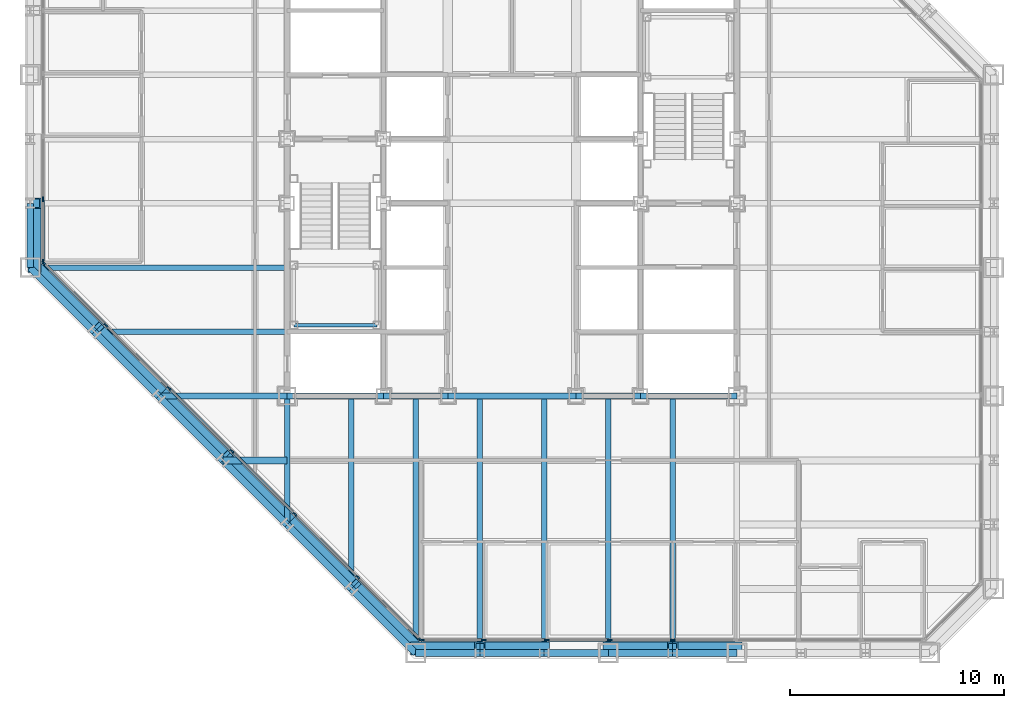
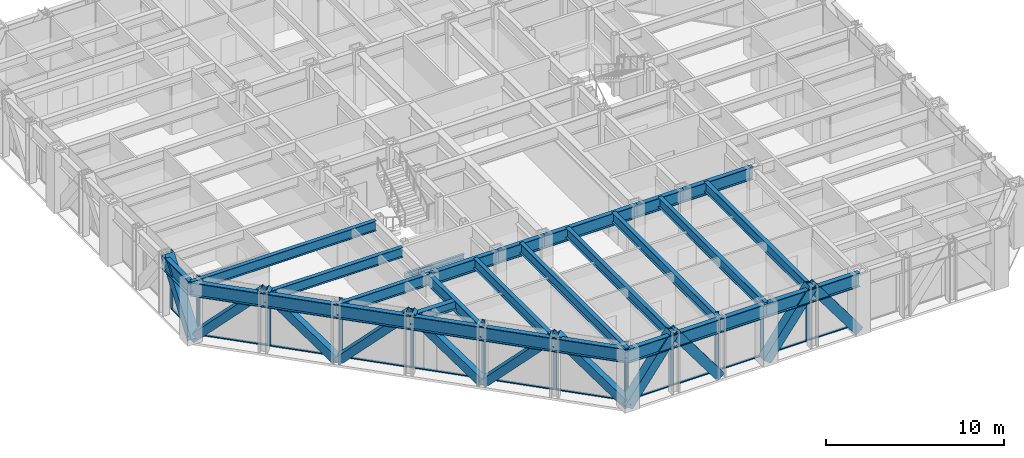
# One storey, part 4 of 16: 37 members, 29 beams, 3 elements without a shape of their own.
"""IFC4 building model written with IfcOpenShell, lengths in metres."""

from ifc_helpers import new_model, si_unit, direction, frame, origin, origin_2d, place, context, subcontext, project, spatial, rectangle, hollow_rectangle, i_section, extrude, material, layer, layer_set, material_profile, profile_set, type_object, element, aggregate, save


model = new_model("IFC4")

# Units and contexts
model_context = context("Model", 3, precision=1e-05, world=origin(), true_north=direction((0.0, 1.0)))
body_context = subcontext(model_context, "Body", "Model", "MODEL_VIEW")
ifc_project = project(units=[si_unit("LENGTHUNIT", "METRE"), si_unit("AREAUNIT", "SQUARE_METRE"), si_unit("VOLUMEUNIT", "CUBIC_METRE"), si_unit("PLANEANGLEUNIT", "RADIAN"), si_unit("MASSUNIT", "GRAM", prefix="KILO")], contexts=[model_context])

# Site, building, storey
site_placement = place(None, origin())
site = spatial("IfcSite", under=ifc_project, at=site_placement, CompositionType="ELEMENT")
building_placement = place(site_placement, origin())
building = spatial("IfcBuilding", under=site, at=building_placement, Name="Chuquiago Exchange Tower", CompositionType="ELEMENT")
storey_placement = place(building_placement, frame((0.0, 0.0, 111.0)))
storey = spatial("IfcBuildingStorey", under=building, at=storey_placement, Name="L23", CompositionType="ELEMENT", Elevation=111.0)

# Beams
ifc_material_1 = material(Name="Steel ASTM A992", Category="steel")
ifc_material_profile_1 = material_profile(ifc_material_1, i_section(OverallWidth=0.25390625, OverallDepth=0.683349609375, WebThickness=0.012451171875, FlangeThickness=0.018798828125, at=origin_2d()), Name="W27X94")
ifc_profile_set_1 = profile_set([ifc_material_profile_1], Name="Steel ASTM A992")
beam_type_1 = type_object("IfcBeamType", Name="B1 W27X94", PredefinedType="BEAM", material=ifc_profile_set_1)
beam_1_placement = place(storey_placement, frame((15.0, 12.0, 3.698486328125), z_axis=(0.0, -1.0, 0.0), x_axis=(1.0, 0.0, 0.0)))
element("IfcBeam", 1, at=beam_1_placement, inside=storey, type_object=beam_type_1, Name="FB-L24-infill-15_12-15_3-0", PredefinedType="BEAM", context=body_context, shape_type="SweptSolid", body=[
    extrude(i_section(OverallWidth=0.25390625, OverallDepth=0.683349609375, WebThickness=0.012451171875, FlangeThickness=0.018798828125, at=origin_2d()), origin(), (0.0, 0.0, 1.0), 9.0),
])
for number, where, z_axis, x_axis, name in (
    (2, (18.0, 12.0, 3.698486328125), (0.0, -1.0, 0.0), (1.0, 0.0, 0.0), "FB-L24-infill-18_12-18_-0-0"),
    (3, (21.0, 12.0, 3.698486328125), (0.0, -1.0, 0.0), (1.0, 0.0, 0.0), "FB-L24-infill-21_12-21_-0-0"),
    (4, (24.0, 12.0, 3.698486328125), (0.0, -1.0, 0.0), (1.0, 0.0, 0.0), "FB-L24-infill-24_12-24_-0-0"),
    (5, (27.0, 12.0, 3.698486328125), (0.0, -1.0, 0.0), (1.0, 0.0, 0.0), "FB-L24-infill-27_12-27_-0-0"),
    (6, (30.0, 12.0, 3.698486328125), (0.0, -1.0, 0.0), (1.0, 0.0, 0.0), "FB-L24-infill-30_12-30_-0-0"),
):
    element("IfcBeam", number, at=place(storey_placement, frame(where, z_axis=z_axis, x_axis=x_axis)), inside=storey, type_object=beam_type_1, Name=name, PredefinedType="BEAM", context=body_context, shape_type="SweptSolid", body=[
        extrude(i_section(OverallWidth=0.25390625, OverallDepth=0.683349609375, WebThickness=0.012451171875, FlangeThickness=0.018798828125, at=origin_2d()), origin(), (0.0, 0.0, 1.0), 12.0),
    ])
beam_2_placement = place(storey_placement, frame((12.0, 15.0, 3.698486328125), z_axis=(-1.0, 0.0, 0.0), x_axis=(0.0, -1.0, 0.0)))
element("IfcBeam", 7, at=beam_2_placement, inside=storey, type_object=beam_type_1, Name="FB-L24-infill-12_15-3_15-0", PredefinedType="BEAM", context=body_context, shape_type="SweptSolid", body=[
    extrude(i_section(OverallWidth=0.25390625, OverallDepth=0.683349609375, WebThickness=0.012451171875, FlangeThickness=0.018798828125, at=origin_2d()), origin(), (0.0, 0.0, 1.0), 9.0),
])
beam_3_placement = place(storey_placement, frame((12.0, 18.0, 3.698486328125), z_axis=(-1.0, 0.0, 0.0), x_axis=(0.0, -1.0, 0.0)))
element("IfcBeam", 8, at=beam_3_placement, inside=storey, type_object=beam_type_1, Name="FB-L24-infill-12_18--0_18-0", PredefinedType="BEAM", context=body_context, shape_type="SweptSolid", body=[
    extrude(i_section(OverallWidth=0.25390625, OverallDepth=0.683349609375, WebThickness=0.012451171875, FlangeThickness=0.018798828125, at=origin_2d()), origin(), (0.0, 0.0, 1.0), 12.0),
])
ifc_material_2 = material(Name="Steel ASTM A992", Category="steel")
ifc_material_profile_2 = material_profile(ifc_material_2, i_section(OverallWidth=0.3251953125, OverallDepth=0.612060546875, WebThickness=0.0126953125, FlangeThickness=0.01904296875, at=origin_2d()), Name="W24X104")
ifc_profile_set_2 = profile_set([ifc_material_profile_2], Name="Steel ASTM A992")
beam_type_2 = type_object("IfcBeamType", Name="B2 W24X104", PredefinedType="BEAM", material=ifc_profile_set_2)
beam_4_placement = place(storey_placement, frame((12.0, 9.0, 3.73388671875), z_axis=(-1.0, 0.0, 0.0), x_axis=(0.0, -1.0, 0.0)))
element("IfcBeam", 9, at=beam_4_placement, inside=storey, type_object=beam_type_2, Name="FB-L24-corner-12_9-9_9-0", PredefinedType="BEAM", context=body_context, shape_type="SweptSolid", body=[
    extrude(i_section(OverallWidth=0.3251953125, OverallDepth=0.612060546875, WebThickness=0.0126953125, FlangeThickness=0.01904296875, at=origin_2d()), origin(), (0.0, 0.0, 1.0), 3.0),
])
ifc_material_3 = material(Name="Steel ASTM A992", Category="steel")
ifc_material_profile_3 = material_profile(ifc_material_3, i_section(OverallWidth=0.2919921875, OverallDepth=0.8583984375, WebThickness=0.01708984375, FlangeThickness=0.031005859375, at=origin_2d()), Name="W33X169")
ifc_profile_set_3 = profile_set([ifc_material_profile_3], Name="Steel ASTM A992")
beam_type_3 = type_object("IfcBeamType", Name="B3 W33X169", PredefinedType="BEAM", material=ifc_profile_set_3)
beam_5_placement = place(storey_placement, frame((12.0, 12.0, 3.610595703125), z_axis=(1.0, 0.0, 0.0), x_axis=(0.0, 1.0, 0.0)))
element("IfcBeam", 10, at=beam_5_placement, inside=storey, type_object=beam_type_3, Name="CB-L24-12_12-16.5_12", PredefinedType="BEAM", context=body_context, shape_type="SweptSolid", body=[
    extrude(i_section(OverallWidth=0.2919921875, OverallDepth=0.8583984375, WebThickness=0.01708984375, FlangeThickness=0.031005859375, at=origin_2d()), origin(), (0.0, 0.0, 1.0), 4.5),
])
beam_6_placement = place(storey_placement, frame((16.5, 12.0, 3.610595703125), z_axis=(1.0, 0.0, 0.0), x_axis=(0.0, 1.0, 0.0)))
element("IfcBeam", 11, at=beam_6_placement, inside=storey, type_object=beam_type_3, Name="CB-L24-16.5_12-19.5_12", PredefinedType="BEAM", context=body_context, shape_type="SweptSolid", body=[
    extrude(i_section(OverallWidth=0.2919921875, OverallDepth=0.8583984375, WebThickness=0.01708984375, FlangeThickness=0.031005859375, at=origin_2d()), origin(), (0.0, 0.0, 1.0), 3.0),
])
beam_7_placement = place(storey_placement, frame((19.5, 12.0, 3.610595703125), z_axis=(1.0, 0.0, 0.0), x_axis=(0.0, 1.0, 0.0)))
element("IfcBeam", 12, at=beam_7_placement, inside=storey, type_object=beam_type_3, Name="CB-L24-19.5_12-25.5_12", PredefinedType="BEAM", context=body_context, shape_type="SweptSolid", body=[
    extrude(i_section(OverallWidth=0.2919921875, OverallDepth=0.8583984375, WebThickness=0.01708984375, FlangeThickness=0.031005859375, at=origin_2d()), origin(), (0.0, 0.0, 1.0), 6.0),
])
beam_8_placement = place(storey_placement, frame((25.5, 12.0, 3.610595703125), z_axis=(1.0, 0.0, 0.0), x_axis=(0.0, 1.0, 0.0)))
element("IfcBeam", 13, at=beam_8_placement, inside=storey, type_object=beam_type_3, Name="CB-L24-25.5_12-28.5_12", PredefinedType="BEAM", context=body_context, shape_type="SweptSolid", body=[
    extrude(i_section(OverallWidth=0.2919921875, OverallDepth=0.8583984375, WebThickness=0.01708984375, FlangeThickness=0.031005859375, at=origin_2d()), origin(), (0.0, 0.0, 1.0), 3.0),
])
beam_9_placement = place(storey_placement, frame((28.5, 12.0, 3.610595703125), z_axis=(1.0, 0.0, 0.0), x_axis=(0.0, 1.0, 0.0)))
element("IfcBeam", 14, at=beam_9_placement, inside=storey, type_object=beam_type_3, Name="CB-L24-28.5_12-33_12", PredefinedType="BEAM", context=body_context, shape_type="SweptSolid", body=[
    extrude(i_section(OverallWidth=0.2919921875, OverallDepth=0.8583984375, WebThickness=0.01708984375, FlangeThickness=0.031005859375, at=origin_2d()), origin(), (0.0, 0.0, 1.0), 4.5),
])

# Curtain wall, members
ifc_material_4 = material(Name="Aluminium curtain wall system", Category="aluminium")
ifc_layer_1 = layer(ifc_material_4, 0.22509765625)
ifc_layer_set_1 = layer_set([ifc_layer_1], Name="CW2 office curtain wall")
curtain_wall_type_1 = type_object("IfcCurtainWallType", Name="CW2 office curtain wall", PredefinedType="NOTDEFINED", material=ifc_layer_set_1)
curtain_wall_1_placement = place(storey_placement, origin())
curtain_wall_1 = element("IfcCurtainWall", 15, at=curtain_wall_1_placement, inside=storey, type_object=curtain_wall_type_1, Name="CW2 curtain wall L23", PredefinedType="NOTDEFINED")
ifc_material_5 = material(Name="Aluminium mullion, pale anodised", Category="aluminium")
ifc_material_profile_4 = material_profile(ifc_material_5, rectangle(XDim=0.06494140625, YDim=0.22509765625, at=origin_2d()), Name="AL 65x225")
ifc_profile_set_4 = profile_set([ifc_material_profile_4], Name="Aluminium mullion, pale anodised")
member_type_1 = type_object("IfcMemberType", Name="CW2-M mullion 65x225", PredefinedType="MULLION", material=ifc_profile_set_4)
member_1_placement = place(storey_placement, frame((18.281005859375, 0.60009765625, 0.0), z_axis=(0.0, 0.0, 1.0), x_axis=(0.0, 1.0, 0.0)))
member_1 = element("IfcMember", 16, at=member_1_placement, type_object=member_type_1, Name="CW2 mullion 1", PredefinedType="MULLION", context=body_context, shape_type="SweptSolid", body=[
    extrude(rectangle(XDim=0.06494140625, YDim=0.22509765625, at=origin_2d()), origin(), (0.0, 0.0, 1.0), 4.0400390625),
])
member_2_placement = place(storey_placement, frame((21.186279296875, 0.60009765625, 0.0), z_axis=(0.0, 0.0, 1.0), x_axis=(0.0, 1.0, 0.0)))
member_2 = element("IfcMember", 17, at=member_2_placement, type_object=member_type_1, Name="CW2 mullion 2", PredefinedType="MULLION", context=body_context, shape_type="SweptSolid", body=[
    extrude(rectangle(XDim=0.06494140625, YDim=0.22509765625, at=origin_2d()), origin(), (0.0, 0.0, 1.0), 4.0400390625),
])
member_3_placement = place(storey_placement, frame((24.124267578125, 0.60009765625, 0.0), z_axis=(0.0, 0.0, 1.0), x_axis=(0.0, 1.0, 0.0)))
member_3 = element("IfcMember", 18, at=member_3_placement, type_object=member_type_1, Name="CW2 mullion 3", PredefinedType="MULLION", context=body_context, shape_type="SweptSolid", body=[
    extrude(rectangle(XDim=0.06494140625, YDim=0.22509765625, at=origin_2d()), origin(), (0.0, 0.0, 1.0), 4.0400390625),
])
member_4_placement = place(storey_placement, frame((27.06201171875, 0.60009765625, 0.0), z_axis=(0.0, 0.0, 1.0), x_axis=(0.0, 1.0, 0.0)))
member_4 = element("IfcMember", 19, at=member_4_placement, type_object=member_type_1, Name="CW2 mullion 4", PredefinedType="MULLION", context=body_context, shape_type="SweptSolid", body=[
    extrude(rectangle(XDim=0.06494140625, YDim=0.22509765625, at=origin_2d()), origin(), (0.0, 0.0, 1.0), 4.0400390625),
])
member_5_placement = place(storey_placement, frame((30.0, 0.60009765625, 0.0), z_axis=(0.0, 0.0, 1.0), x_axis=(0.0, 1.0, 0.0)))
member_5 = element("IfcMember", 20, at=member_5_placement, type_object=member_type_1, Name="CW2 mullion 5", PredefinedType="MULLION", context=body_context, shape_type="SweptSolid", body=[
    extrude(rectangle(XDim=0.06494140625, YDim=0.22509765625, at=origin_2d()), origin(), (0.0, 0.0, 1.0), 4.0400390625),
])

curtain_wall_2_placement = place(storey_placement, origin())
curtain_wall_2 = element("IfcCurtainWall", 21, at=curtain_wall_2_placement, inside=storey, type_object=curtain_wall_type_1, Name="CW2 curtain wall L23", PredefinedType="NOTDEFINED")
member_6_placement = place(storey_placement, frame((0.60009765625, 21.186279296875, 0.0), z_axis=(0.0, 0.0, 1.0), x_axis=(1.0, 0.0, 0.0)))
member_6 = element("IfcMember", 22, at=member_6_placement, type_object=member_type_1, Name="CW2 mullion 8", PredefinedType="MULLION", context=body_context, shape_type="SweptSolid", body=[
    extrude(rectangle(XDim=0.06494140625, YDim=0.22509765625, at=origin_2d()), origin(), (0.0, 0.0, 1.0), 4.0400390625),
])
member_7_placement = place(storey_placement, frame((0.60009765625, 18.281005859375, 0.0), z_axis=(0.0, 0.0, 1.0), x_axis=(1.0, 0.0, 0.0)))
member_7 = element("IfcMember", 23, at=member_7_placement, type_object=member_type_1, Name="CW2 mullion 9", PredefinedType="MULLION", context=body_context, shape_type="SweptSolid", body=[
    extrude(rectangle(XDim=0.06494140625, YDim=0.22509765625, at=origin_2d()), origin(), (0.0, 0.0, 1.0), 4.0400390625),
])

# Member
ifc_material_6 = material(Name="Aluminium transom, pale anodised", Category="aluminium")
ifc_material_profile_5 = material_profile(ifc_material_6, rectangle(XDim=0.139892578125, YDim=0.06494140625, at=origin_2d()), Name="AL 140x65")
ifc_profile_set_5 = profile_set([ifc_material_profile_5], Name="Aluminium transom, pale anodised")
member_type_2 = type_object("IfcMemberType", Name="CW2-T transom 65x140", PredefinedType="MULLION", material=ifc_profile_set_5)
member_8_placement = place(storey_placement, frame((18.3134765625, 0.60009765625, 0.032470703125), z_axis=(1.0, 0.0, 0.0), x_axis=(0.0, 1.0, 0.0)))
member_8 = element("IfcMember", 24, at=member_8_placement, type_object=member_type_2, Name="CW2 transom 1.1", PredefinedType="MULLION", context=body_context, shape_type="SweptSolid", body=[
    extrude(rectangle(XDim=0.139892578125, YDim=0.06494140625, at=origin_2d()), origin(), (0.0, 0.0, 1.0), 2.84033203125),
])

member_9_placement = place(storey_placement, frame((21.218994140625, 0.60009765625, 0.032470703125), z_axis=(1.0, 0.0, 0.0), x_axis=(0.0, 1.0, 0.0)))
member_9 = element("IfcMember", 25, at=member_9_placement, type_object=member_type_2, Name="CW2 transom 2.1", PredefinedType="MULLION", context=body_context, shape_type="SweptSolid", body=[
    extrude(rectangle(XDim=0.139892578125, YDim=0.06494140625, at=origin_2d()), origin(), (0.0, 0.0, 1.0), 2.872802734375),
])

member_10_placement = place(storey_placement, frame((24.15673828125, 0.60009765625, 0.032470703125), z_axis=(1.0, 0.0, 0.0), x_axis=(0.0, 1.0, 0.0)))
member_10 = element("IfcMember", 26, at=member_10_placement, type_object=member_type_2, Name="CW2 transom 3.1", PredefinedType="MULLION", context=body_context, shape_type="SweptSolid", body=[
    extrude(rectangle(XDim=0.139892578125, YDim=0.06494140625, at=origin_2d()), origin(), (0.0, 0.0, 1.0), 2.872802734375),
])

member_11_placement = place(storey_placement, frame((27.0947265625, 0.60009765625, 0.032470703125), z_axis=(1.0, 0.0, 0.0), x_axis=(0.0, 1.0, 0.0)))
member_11 = element("IfcMember", 27, at=member_11_placement, type_object=member_type_2, Name="CW2 transom 4.1", PredefinedType="MULLION", context=body_context, shape_type="SweptSolid", body=[
    extrude(rectangle(XDim=0.139892578125, YDim=0.06494140625, at=origin_2d()), origin(), (0.0, 0.0, 1.0), 2.872802734375),
])

member_12_placement = place(storey_placement, frame((30.032470703125, 0.60009765625, 0.032470703125), z_axis=(1.0, 0.0, 0.0), x_axis=(0.0, 1.0, 0.0)))
member_12 = element("IfcMember", 28, at=member_12_placement, type_object=member_type_2, Name="CW2 transom 5.1", PredefinedType="MULLION", context=body_context, shape_type="SweptSolid", body=[
    extrude(rectangle(XDim=0.139892578125, YDim=0.06494140625, at=origin_2d()), origin(), (0.0, 0.0, 1.0), 2.872802734375),
])

aggregate(curtain_wall_1, [member_1, member_2, member_3, member_4, member_5, member_8, member_9, member_10, member_11, member_12])

member_13_placement = place(storey_placement, frame((0.60009765625, 21.15380859375, 0.032470703125), z_axis=(0.0, -1.0, 0.0), x_axis=(1.0, 0.0, 0.0)))
member_13 = element("IfcMember", 29, at=member_13_placement, type_object=member_type_2, Name="CW2 transom 8.1", PredefinedType="MULLION", context=body_context, shape_type="SweptSolid", body=[
    extrude(rectangle(XDim=0.139892578125, YDim=0.06494140625, at=origin_2d()), origin(), (0.0, 0.0, 1.0), 2.84033203125),
])

aggregate(curtain_wall_2, [member_6, member_7, member_13])

# Curtain wall, members
ifc_material_7 = material(Name="Aluminium curtain wall system", Category="aluminium")
ifc_layer_2 = layer(ifc_material_7, 0.199951171875)
ifc_layer_set_2 = layer_set([ifc_layer_2], Name="CW3 facet curtain wall")
curtain_wall_type_2 = type_object("IfcCurtainWallType", Name="CW3 facet curtain wall", PredefinedType="NOTDEFINED", material=ifc_layer_set_2)
curtain_wall_3_placement = place(storey_placement, origin())
curtain_wall_3 = element("IfcCurtainWall", 30, at=curtain_wall_3_placement, inside=storey, type_object=curtain_wall_type_2, Name="CW3 curtain wall L23", PredefinedType="NOTDEFINED")
ifc_material_8 = material(Name="Aluminium mullion, pale anodised", Category="aluminium")
ifc_material_profile_6 = material_profile(ifc_material_8, rectangle(XDim=0.06494140625, YDim=0.199951171875, at=origin_2d()), Name="AL 65x200")
ifc_profile_set_6 = profile_set([ifc_material_profile_6], Name="Aluminium mullion, pale anodised")
member_type_3 = type_object("IfcMemberType", Name="CW3-M mullion 65x200", PredefinedType="MULLION", material=ifc_profile_set_6)
member_14_placement = place(storey_placement, frame((0.623046875, 18.2255859375, 0.0), z_axis=(0.0, 0.0, 1.0), x_axis=(0.707106781187, 0.707106781187, 0.0)))
member_14 = element("IfcMember", 31, at=member_14_placement, type_object=member_type_3, Name="CW3 mullion 1", PredefinedType="MULLION", context=body_context, shape_type="SweptSolid", body=[
    extrude(rectangle(XDim=0.06494140625, YDim=0.199951171875, at=origin_2d()), origin(), (0.0, 0.0, 1.0), 4.0400390625),
])
member_15_placement = place(storey_placement, frame((3.54150390625, 15.30712890625, 0.0), z_axis=(0.0, 0.0, 1.0), x_axis=(0.707106781187, 0.707106781187, 0.0)))
member_15 = element("IfcMember", 32, at=member_15_placement, type_object=member_type_3, Name="CW3 mullion 2", PredefinedType="MULLION", context=body_context, shape_type="SweptSolid", body=[
    extrude(rectangle(XDim=0.06494140625, YDim=0.199951171875, at=origin_2d()), origin(), (0.0, 0.0, 1.0), 4.0400390625),
])
member_16_placement = place(storey_placement, frame((6.48291015625, 12.36572265625, 0.0), z_axis=(0.0, 0.0, 1.0), x_axis=(0.707106781187, 0.707106781187, 0.0)))
member_16 = element("IfcMember", 33, at=member_16_placement, type_object=member_type_3, Name="CW3 mullion 3", PredefinedType="MULLION", context=body_context, shape_type="SweptSolid", body=[
    extrude(rectangle(XDim=0.06494140625, YDim=0.199951171875, at=origin_2d()), origin(), (0.0, 0.0, 1.0), 4.0400390625),
])
member_17_placement = place(storey_placement, frame((9.42431640625, 9.42431640625, 0.0), z_axis=(0.0, 0.0, 1.0), x_axis=(0.707106781187, 0.707106781187, 0.0)))
member_17 = element("IfcMember", 34, at=member_17_placement, type_object=member_type_3, Name="CW3 mullion 4", PredefinedType="MULLION", context=body_context, shape_type="SweptSolid", body=[
    extrude(rectangle(XDim=0.06494140625, YDim=0.199951171875, at=origin_2d()), origin(), (0.0, 0.0, 1.0), 4.0400390625),
])
member_18_placement = place(storey_placement, frame((12.36572265625, 6.48291015625, 0.0), z_axis=(0.0, 0.0, 1.0), x_axis=(0.707106781187, 0.707106781187, 0.0)))
member_18 = element("IfcMember", 35, at=member_18_placement, type_object=member_type_3, Name="CW3 mullion 5", PredefinedType="MULLION", context=body_context, shape_type="SweptSolid", body=[
    extrude(rectangle(XDim=0.06494140625, YDim=0.199951171875, at=origin_2d()), origin(), (0.0, 0.0, 1.0), 4.0400390625),
])
member_19_placement = place(storey_placement, frame((15.30712890625, 3.54150390625, 0.0), z_axis=(0.0, 0.0, 1.0), x_axis=(0.707106781187, 0.707106781187, 0.0)))
member_19 = element("IfcMember", 36, at=member_19_placement, type_object=member_type_3, Name="CW3 mullion 6", PredefinedType="MULLION", context=body_context, shape_type="SweptSolid", body=[
    extrude(rectangle(XDim=0.06494140625, YDim=0.199951171875, at=origin_2d()), origin(), (0.0, 0.0, 1.0), 4.0400390625),
])
member_20_placement = place(storey_placement, frame((18.2255859375, 0.623046875, 0.0), z_axis=(0.0, 0.0, 1.0), x_axis=(0.707106781187, 0.707106781187, 0.0)))
member_20 = element("IfcMember", 37, at=member_20_placement, type_object=member_type_3, Name="CW3 mullion 7", PredefinedType="MULLION", context=body_context, shape_type="SweptSolid", body=[
    extrude(rectangle(XDim=0.06494140625, YDim=0.199951171875, at=origin_2d()), origin(), (0.0, 0.0, 1.0), 4.0400390625),
])
ifc_material_9 = material(Name="Aluminium transom, pale anodised", Category="aluminium")
ifc_material_profile_7 = material_profile(ifc_material_9, rectangle(XDim=0.139892578125, YDim=0.06494140625, at=origin_2d()), Name="AL 140x65")
ifc_profile_set_7 = profile_set([ifc_material_profile_7], Name="Aluminium transom, pale anodised")
member_type_4 = type_object("IfcMemberType", Name="CW3-T transom 65x140", PredefinedType="MULLION", material=ifc_profile_set_7)
member_21_placement = place(storey_placement, frame((0.64599609375, 18.20263671875, 0.032470703125), z_axis=(0.707106781187, -0.707106781187, 0.0), x_axis=(0.707106781187, 0.707106781187, 0.0)))
member_21 = element("IfcMember", 38, at=member_21_placement, type_object=member_type_4, Name="CW3 transom 1.1", PredefinedType="MULLION", context=body_context, shape_type="SweptSolid", body=[
    extrude(rectangle(XDim=0.139892578125, YDim=0.06494140625, at=origin_2d()), origin(), (0.0, 0.0, 1.0), 4.0625),
])
member_22_placement = place(storey_placement, frame((3.564453125, 15.2841796875, 0.032470703125), z_axis=(0.707106781187, -0.707106781187, 0.0), x_axis=(0.707106781187, 0.707106781187, 0.0)))
member_22 = element("IfcMember", 39, at=member_22_placement, type_object=member_type_4, Name="CW3 transom 2.1", PredefinedType="MULLION", context=body_context, shape_type="SweptSolid", body=[
    extrude(rectangle(XDim=0.139892578125, YDim=0.06494140625, at=origin_2d()), origin(), (0.0, 0.0, 1.0), 4.094970703125),
])
member_23_placement = place(storey_placement, frame((6.505859375, 12.3427734375, 0.032470703125), z_axis=(0.707106781187, -0.707106781187, 0.0), x_axis=(0.707106781187, 0.707106781187, 0.0)))
member_23 = element("IfcMember", 40, at=member_23_placement, type_object=member_type_4, Name="CW3 transom 3.1", PredefinedType="MULLION", context=body_context, shape_type="SweptSolid", body=[
    extrude(rectangle(XDim=0.139892578125, YDim=0.06494140625, at=origin_2d()), origin(), (0.0, 0.0, 1.0), 4.094970703125),
])
member_24_placement = place(storey_placement, frame((9.447265625, 9.4013671875, 0.032470703125), z_axis=(0.707106781187, -0.707106781187, 0.0), x_axis=(0.707106781187, 0.707106781187, 0.0)))
member_24 = element("IfcMember", 41, at=member_24_placement, type_object=member_type_4, Name="CW3 transom 4.1", PredefinedType="MULLION", context=body_context, shape_type="SweptSolid", body=[
    extrude(rectangle(XDim=0.139892578125, YDim=0.06494140625, at=origin_2d()), origin(), (0.0, 0.0, 1.0), 4.094970703125),
])
member_25_placement = place(storey_placement, frame((12.388671875, 6.4599609375, 0.032470703125), z_axis=(0.707106781187, -0.707106781187, 0.0), x_axis=(0.707106781187, 0.707106781187, 0.0)))
member_25 = element("IfcMember", 42, at=member_25_placement, type_object=member_type_4, Name="CW3 transom 5.1", PredefinedType="MULLION", context=body_context, shape_type="SweptSolid", body=[
    extrude(rectangle(XDim=0.139892578125, YDim=0.06494140625, at=origin_2d()), origin(), (0.0, 0.0, 1.0), 4.094970703125),
])
member_26_placement = place(storey_placement, frame((15.330078125, 3.5185546875, 0.032470703125), z_axis=(0.707106781187, -0.707106781187, 0.0), x_axis=(0.707106781187, 0.707106781187, 0.0)))
member_26 = element("IfcMember", 43, at=member_26_placement, type_object=member_type_4, Name="CW3 transom 6.1", PredefinedType="MULLION", context=body_context, shape_type="SweptSolid", body=[
    extrude(rectangle(XDim=0.139892578125, YDim=0.06494140625, at=origin_2d()), origin(), (0.0, 0.0, 1.0), 4.0625),
])
aggregate(curtain_wall_3, [member_14, member_15, member_16, member_17, member_18, member_19, member_20, member_21, member_22, member_23, member_24, member_25, member_26])

# Beams
ifc_material_10 = material(Name="Steel ASTM A992", Category="steel")
ifc_material_profile_8 = material_profile(ifc_material_10, i_section(OverallWidth=0.2666015625, OverallDepth=0.76953125, WebThickness=0.015625, FlangeThickness=0.025390625, at=origin_2d()), Name="W30X132")
ifc_profile_set_8 = profile_set([ifc_material_profile_8], Name="Steel ASTM A992")
beam_type_4 = type_object("IfcBeamType", Name="G1 W30X132", PredefinedType="BEAM", material=ifc_profile_set_8)
for number, where, z_axis, x_axis, name in (
    (44, (12.0, 12.0, 3.6552734375), (0.0, -1.0, 0.0), (1.0, 0.0, 0.0), "FB-L24-girder-12_12-12_6-0"),
    (45, (12.0, 12.0, 3.6552734375), (-1.0, 0.0, 0.0), (0.0, -1.0, 0.0), "FB-L24-girder-12_12-6_12-0"),
):
    element("IfcBeam", number, at=place(storey_placement, frame(where, z_axis=z_axis, x_axis=x_axis)), inside=storey, type_object=beam_type_4, Name=name, PredefinedType="BEAM", context=body_context, shape_type="SweptSolid", body=[
        extrude(i_section(OverallWidth=0.2666015625, OverallDepth=0.76953125, WebThickness=0.015625, FlangeThickness=0.025390625, at=origin_2d()), origin(), (0.0, 0.0, 1.0), 6.0),
    ])

# Members
ifc_material_11 = material(Name="Steel ASTM A500 Grade C", Category="steel")
ifc_material_profile_9 = material_profile(ifc_material_11, hollow_rectangle(XDim=0.508056640625, YDim=0.508056640625, WallThickness=0.017822265625, at=origin_2d()), Name="HSS20X20X3/4")
ifc_profile_set_9 = profile_set([ifc_material_profile_9], Name="Steel ASTM A500 Grade C")
member_type_5 = type_object("IfcMemberType", Name="LB1 HSS20X20X3/4", PredefinedType="BRACE", material=ifc_profile_set_9)
for number, where, z_axis, x_axis, name in (
    (46, (0.177490234375, 18.177490234375, 0.0), (0.512077265487, -0.512077265487, 0.689604051861), (0.707106781187, 0.707106781187, 0.0), "LB-L23-0_18-3_15"),
    (47, (6.177490234375, 12.177490234375, 0.0), (-0.512077265487, 0.512077265487, 0.689604051861), (-0.707106781187, -0.707106781187, 0.0), "LB-L23-3_15-6_12"),
    (48, (6.177490234375, 12.177490234375, 0.0), (0.512077265487, -0.512077265487, 0.689604051861), (0.707106781187, 0.707106781187, 0.0), "LB-L23-6_12-9_9"),
    (49, (12.177490234375, 6.177490234375, 0.0), (-0.512077265487, 0.512077265487, 0.689604051861), (-0.707106781187, -0.707106781187, 0.0), "LB-L23-9_9-12_6"),
    (50, (12.177490234375, 6.177490234375, 0.0), (0.512077265487, -0.512077265487, 0.689604051861), (0.707106781187, 0.707106781187, 0.0), "LB-L23-12_6-15_3"),
    (51, (18.177490234375, 0.177490234375, 0.0), (-0.512077265487, 0.512077265487, 0.689604051861), (-0.707106781187, -0.707106781187, 0.0), "LB-L23-15_3-18_0"),
):
    element("IfcMember", number, at=place(storey_placement, frame(where, z_axis=z_axis, x_axis=x_axis)), inside=storey, type_object=member_type_5, Name=name, PredefinedType="BRACE", context=body_context, shape_type="SweptSolid", body=[
        extrude(hollow_rectangle(XDim=0.508056640625, YDim=0.508056640625, WallThickness=0.017822265625, at=origin_2d()), origin(), (0.0, 0.0, 1.0), 5.8583984375),
    ])

# Beam
ifc_material_12 = material(Name="Steel ASTM A992", Category="steel")
ifc_material_profile_10 = material_profile(ifc_material_12, i_section(OverallWidth=0.164794921875, OverallDepth=0.309814453125, WebThickness=0.005859375, FlangeThickness=0.009765625, at=origin_2d()), Name="W12X26")
ifc_profile_set_10 = profile_set([ifc_material_profile_10], Name="Steel ASTM A992")
beam_type_5 = type_object("IfcBeamType", Name="LT1 W12X26", PredefinedType="BEAM", material=ifc_profile_set_10)
beam_10_placement = place(storey_placement, frame((12.31005859375, 15.31005859375, 1.7451171875), z_axis=(1.0, 0.0, 0.0), x_axis=(0.0, 1.0, 0.0)))
element("IfcBeam", 52, at=beam_10_placement, inside=storey, type_object=beam_type_5, Name="Stair ST1 L23 landing 1 trimmer", PredefinedType="BEAM", context=body_context, shape_type="SweptSolid", body=[
    extrude(i_section(OverallWidth=0.164794921875, OverallDepth=0.309814453125, WebThickness=0.005859375, FlangeThickness=0.009765625, at=origin_2d()), origin(), (0.0, 0.0, 1.0), 3.8798828125),
])

# Members
ifc_material_13 = material(Name="Steel ASTM A572 Grade 50", Category="steel")
ifc_material_profile_11 = material_profile(ifc_material_13, hollow_rectangle(XDim=0.60009765625, YDim=0.60009765625, WallThickness=0.06005859375, at=origin_2d()), Name="BOX600X600X60")
ifc_profile_set_11 = profile_set([ifc_material_profile_11], Name="Steel ASTM A572 Grade 50")
member_type_6 = type_object("IfcMemberType", Name="MB2 BOX600X600X60", PredefinedType="BRACE", material=ifc_profile_set_11)
for number, where, z_axis, x_axis, name in (
    (53, (18.0, 0.205078125, 0.0), (0.596173923302, 0.0, 0.802855312728), (0.0, 1.0, 0.0), "Mega diagonal L23 S face"),
    (54, (24.0, 0.205078125, 0.0), (-0.596173923302, 0.0, 0.802855312728), (0.0, -1.0, 0.0), "Mega diagonal L23 S face"),
    (55, (27.0, 0.205078125, 0.0), (0.596173923302, 0.0, 0.802855312728), (0.0, 1.0, 0.0), "Mega diagonal L23 S face"),
    (56, (33.0, 0.205078125, 0.0), (-0.596173923302, 0.0, 0.802855312728), (0.0, -1.0, 0.0), "Mega diagonal L23 S face"),
    (57, (0.205078125, 18.0, 0.0), (0.0, 0.596173923302, 0.802855312728), (-1.0, 0.0, 0.0), "Mega diagonal L23 W face"),
):
    element("IfcMember", number, at=place(storey_placement, frame(where, z_axis=z_axis, x_axis=x_axis)), inside=storey, type_object=member_type_6, Name=name, PredefinedType="BRACE", context=body_context, shape_type="SweptSolid", body=[
        extrude(hollow_rectangle(XDim=0.60009765625, YDim=0.60009765625, WallThickness=0.06005859375, at=origin_2d()), origin(), (0.0, 0.0, 1.0), 5.031982421875),
    ])

# Beams
ifc_material_14 = material(Name="Steel ASTM A992", Category="steel")
ifc_material_profile_12 = material_profile(ifc_material_14, i_section(OverallWidth=0.309814453125, OverallDepth=0.949951171875, WebThickness=0.0244140625, FlangeThickness=0.0439453125, at=origin_2d()), Name="W36X256")
ifc_profile_set_12 = profile_set([ifc_material_profile_12], Name="Steel ASTM A992")
beam_type_6 = type_object("IfcBeamType", Name="SP2 W36X256", PredefinedType="SPANDREL", material=ifc_profile_set_12)
for number, where, z_axis, x_axis, name in (
    (58, (18.0, 0.0, 3.56494140625), (1.0, 0.0, 0.0), (0.0, 1.0, 0.0), "SPB-L24-18_0-21_0"),
    (59, (21.0, 0.0, 3.56494140625), (1.0, 0.0, 0.0), (0.0, 1.0, 0.0), "SPB-L24-21_0-24_0"),
    (60, (24.0, 0.0, 3.56494140625), (1.0, 0.0, 0.0), (0.0, 1.0, 0.0), "SPB-L24-24_0-27_0"),
    (61, (27.0, 0.0, 3.56494140625), (1.0, 0.0, 0.0), (0.0, 1.0, 0.0), "SPB-L24-27_0-30_0"),
    (62, (30.0, 0.0, 3.56494140625), (1.0, 0.0, 0.0), (0.0, 1.0, 0.0), "SPB-L24-30_0-33_0"),
    (63, (0.0, 21.0, 3.56494140625), (0.0, -1.0, 0.0), (1.0, 0.0, 0.0), "SPB-L24-0_21-0_18"),
):
    element("IfcBeam", number, at=place(storey_placement, frame(where, z_axis=z_axis, x_axis=x_axis)), inside=storey, type_object=beam_type_6, Name=name, PredefinedType="SPANDREL", context=body_context, shape_type="SweptSolid", body=[
        extrude(i_section(OverallWidth=0.309814453125, OverallDepth=0.949951171875, WebThickness=0.0244140625, FlangeThickness=0.0439453125, at=origin_2d()), origin(), (0.0, 0.0, 1.0), 3.0),
    ])
for number, where, z_axis, x_axis, name in (
    (64, (0.0, 18.0, 3.56494140625), (0.707106781187, -0.707106781187, 0.0), (0.707106781187, 0.707106781187, 0.0), "SPB-L24-0_18-3_15"),
    (65, (3.0, 15.0, 3.56494140625), (0.707106781187, -0.707106781187, 0.0), (0.707106781187, 0.707106781187, 0.0), "SPB-L24-3_15-6_12"),
    (66, (6.0, 12.0, 3.56494140625), (0.707106781187, -0.707106781187, 0.0), (0.707106781187, 0.707106781187, 0.0), "SPB-L24-6_12-9_9"),
    (67, (9.0, 9.0, 3.56494140625), (0.707106781187, -0.707106781187, 0.0), (0.707106781187, 0.707106781187, 0.0), "SPB-L24-9_9-12_6"),
    (68, (12.0, 6.0, 3.56494140625), (0.707106781187, -0.707106781187, 0.0), (0.707106781187, 0.707106781187, 0.0), "SPB-L24-12_6-15_3"),
    (69, (15.0, 3.0, 3.56494140625), (0.707106781187, -0.707106781187, 0.0), (0.707106781187, 0.707106781187, 0.0), "SPB-L24-15_3-18_0"),
):
    element("IfcBeam", number, at=place(storey_placement, frame(where, z_axis=z_axis, x_axis=x_axis)), inside=storey, type_object=beam_type_6, Name=name, PredefinedType="SPANDREL", context=body_context, shape_type="SweptSolid", body=[
        extrude(i_section(OverallWidth=0.309814453125, OverallDepth=0.949951171875, WebThickness=0.0244140625, FlangeThickness=0.0439453125, at=origin_2d()), origin(), (0.0, 0.0, 1.0), 4.24267578125),
    ])

save(model, "model.ifc")
